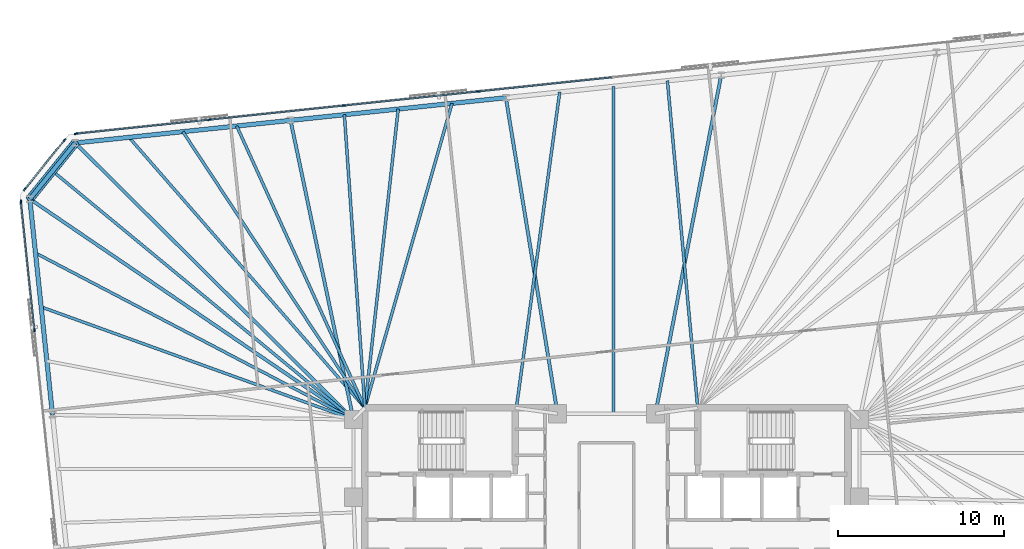
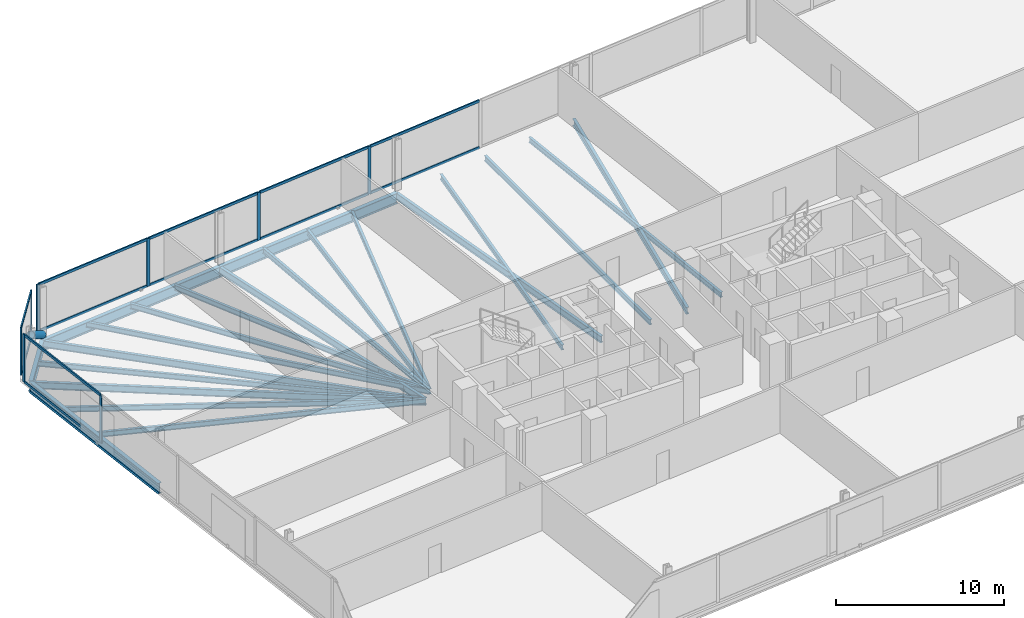
# One storey, part 9 of 18: 21 beams, 21 members, 3 elements without a shape of their own.
"""IFC4 building model written with IfcOpenShell, lengths in metres."""

from ifc_helpers import new_model, si_unit, direction, frame, origin, origin_2d, place, context, subcontext, project, spatial, rectangle, hollow_circle, i_section, extrude, material, material_profile, profile_set, type_object, element, aggregate, save


model = new_model("IFC4")

# Units and contexts
model_context = context("Model", 3, precision=1e-05, world=origin(), true_north=direction((0.0, 1.0)))
body_context = subcontext(model_context, "Body", "Model", "MODEL_VIEW")
ifc_project = project(units=[si_unit("LENGTHUNIT", "METRE"), si_unit("AREAUNIT", "SQUARE_METRE"), si_unit("VOLUMEUNIT", "CUBIC_METRE"), si_unit("PLANEANGLEUNIT", "RADIAN"), si_unit("MASSUNIT", "GRAM", prefix="KILO")], contexts=[model_context])

# Site, building, storey
site_placement = place(None, origin())
site = spatial("IfcSite", under=ifc_project, at=site_placement, CompositionType="ELEMENT")
building_placement = place(site_placement, origin())
building = spatial("IfcBuilding", under=site, at=building_placement, Name="Menara Jurai Vektor", CompositionType="ELEMENT")
storey_placement = place(building_placement, frame((0.0, 0.0, 117.0)))
storey = spatial("IfcBuildingStorey", under=building, at=storey_placement, Name="L29", CompositionType="ELEMENT", Elevation=117.0)

# Curtain wall, members
ifc_material_1 = material(Name="Anodised Pale Aluminium & Low-E Double Glazing", Category="aluminium")
curtain_wall_type = type_object("IfcCurtainWallType", Name="CW-BLK2", PredefinedType="NOTDEFINED", material=ifc_material_1)
curtain_wall_1_placement = place(storey_placement, origin())
curtain_wall_1 = element("IfcCurtainWall", 1, at=curtain_wall_1_placement, inside=storey, type_object=curtain_wall_type, Name="Unitised Curtain Wall L29 F05", PredefinedType="NOTDEFINED")
ifc_material_2 = material(Name="Anodised Pale Aluminium Mullion", Category="aluminium")
ifc_material_profile_1 = material_profile(ifc_material_2, rectangle(XDim=0.090087890625, YDim=0.219970703125, at=origin_2d()), Name="ALU MUL 90x220")
ifc_profile_set_1 = profile_set([ifc_material_profile_1], Name="Anodised Pale Aluminium Mullion")
member_type_1 = type_object("IfcMemberType", Name="CW-BLK2-MUL", PredefinedType="MULLION", material=ifc_profile_set_1)
member_1_placement = place(storey_placement, frame((-7.728271484375, 24.67138671875, 0.0), z_axis=(0.0, 0.0, 1.0), x_axis=(0.104528634935, -0.994521877325, 0.0)))
member_1 = element("IfcMember", 2, at=member_1_placement, type_object=member_type_1, Name="CW-02 mullion 6", PredefinedType="MULLION", context=body_context, shape_type="SweptSolid", body=[
    extrude(rectangle(XDim=0.090087890625, YDim=0.219970703125, at=origin_2d()), origin(), (0.0, 0.0, 1.0), 3.47509765625),
])
member_2_placement = place(storey_placement, frame((-15.826171875, 23.8203125, 0.0), z_axis=(0.0, 0.0, 1.0), x_axis=(0.104528634935, -0.994521877325, 0.0)))
member_2 = element("IfcMember", 3, at=member_2_placement, type_object=member_type_1, Name="CW-02 mullion 7", PredefinedType="MULLION", context=body_context, shape_type="SweptSolid", body=[
    extrude(rectangle(XDim=0.090087890625, YDim=0.219970703125, at=origin_2d()), origin(), (0.0, 0.0, 1.0), 3.47509765625),
])
member_3_placement = place(storey_placement, frame((-23.924072265625, 22.96923828125, 0.0), z_axis=(0.0, 0.0, 1.0), x_axis=(0.104528634935, -0.994521877325, 0.0)))
member_3 = element("IfcMember", 4, at=member_3_placement, type_object=member_type_1, Name="CW-02 mullion 8", PredefinedType="MULLION", context=body_context, shape_type="SweptSolid", body=[
    extrude(rectangle(XDim=0.090087890625, YDim=0.219970703125, at=origin_2d()), origin(), (0.0, 0.0, 1.0), 3.47509765625),
])
member_4_placement = place(storey_placement, frame((-31.97705078125, 22.122802734375, 0.0), z_axis=(0.0, 0.0, 1.0), x_axis=(0.104528634935, -0.994521877325, 0.0)))
member_4 = element("IfcMember", 5, at=member_4_placement, type_object=member_type_1, Name="CW-02 mullion 9", PredefinedType="MULLION", context=body_context, shape_type="SweptSolid", body=[
    extrude(rectangle(XDim=0.090087890625, YDim=0.219970703125, at=origin_2d()), origin(), (0.0, 0.0, 1.0), 3.47509765625),
])

curtain_wall_2_placement = place(storey_placement, origin())
curtain_wall_2 = element("IfcCurtainWall", 6, at=curtain_wall_2_placement, inside=storey, type_object=curtain_wall_type, Name="Unitised Curtain Wall L29 F06", PredefinedType="NOTDEFINED")
member_5_placement = place(storey_placement, frame((-32.667236328125, 21.748046875, 0.0), z_axis=(0.0, 0.0, 1.0), x_axis=(0.777129222223, -0.62934106172, 0.0)))
member_5 = element("IfcMember", 7, at=member_5_placement, type_object=member_type_1, Name="CW-02 mullion 1", PredefinedType="MULLION", context=body_context, shape_type="SweptSolid", body=[
    extrude(rectangle(XDim=0.090087890625, YDim=0.219970703125, at=origin_2d()), origin(), (0.0, 0.0, 1.0), 3.47509765625),
])
member_6_placement = place(storey_placement, frame((-35.0693359375, 18.781982421875, 0.0), z_axis=(0.0, 0.0, 1.0), x_axis=(0.777129222223, -0.62934106172, 0.0)))
member_6 = element("IfcMember", 8, at=member_6_placement, type_object=member_type_1, Name="CW-02 mullion 2", PredefinedType="MULLION", context=body_context, shape_type="SweptSolid", body=[
    extrude(rectangle(XDim=0.090087890625, YDim=0.219970703125, at=origin_2d()), origin(), (0.0, 0.0, 1.0), 3.47509765625),
])

curtain_wall_3_placement = place(storey_placement, origin())
curtain_wall_3 = element("IfcCurtainWall", 9, at=curtain_wall_3_placement, inside=storey, type_object=curtain_wall_type, Name="Unitised Curtain Wall L29 F07", PredefinedType="NOTDEFINED")
member_7_placement = place(storey_placement, frame((-35.29248046875, 18.029052734375, 0.0), z_axis=(0.0, 0.0, 1.0), x_axis=(0.99452177832, 0.104529576902, 0.0)))
member_7 = element("IfcMember", 10, at=member_7_placement, type_object=member_type_1, Name="CW-02 mullion 1", PredefinedType="MULLION", context=body_context, shape_type="SweptSolid", body=[
    extrude(rectangle(XDim=0.090087890625, YDim=0.219970703125, at=origin_2d()), origin(), (0.0, 0.0, 1.0), 3.47509765625),
])
member_8_placement = place(storey_placement, frame((-34.478759765625, 10.28857421875, 0.0), z_axis=(0.0, 0.0, 1.0), x_axis=(0.99452177832, 0.104529576902, 0.0)))
member_8 = element("IfcMember", 11, at=member_8_placement, type_object=member_type_1, Name="CW-02 mullion 2", PredefinedType="MULLION", context=body_context, shape_type="SweptSolid", body=[
    extrude(rectangle(XDim=0.090087890625, YDim=0.219970703125, at=origin_2d()), origin(), (0.0, 0.0, 1.0), 3.47509765625),
])

# Member
ifc_material_3 = material(Name="Anodised Pale Aluminium Transom", Category="aluminium")
ifc_material_profile_2 = material_profile(ifc_material_3, rectangle(XDim=0.090087890625, YDim=0.18505859375, at=origin_2d()), Name="ALU TRN 90x185")
ifc_profile_set_2 = profile_set([ifc_material_profile_2], Name="Anodised Pale Aluminium Transom")
member_type_2 = type_object("IfcMemberType", Name="CW-BLK2-TRN", PredefinedType="USERDEFINED", material=ifc_profile_set_2)
member_9_placement = place(storey_placement, frame((0.324951171875, 25.517822265625, 0.044921875), z_axis=(-0.99452387809, -0.104509597213, 0.0), x_axis=(0.104509597213, -0.99452387809, 0.0)))
member_9 = element("IfcMember", 12, at=member_9_placement, type_object=member_type_2, Name="CW-02 transom 5.1", ObjectType="TRANSOM", PredefinedType="USERDEFINED", context=body_context, shape_type="SweptSolid", body=[
    extrude(rectangle(XDim=0.090087890625, YDim=0.18505859375, at=origin_2d()), origin(), (0.0, 0.0, 1.0), 8.052490234375),
])

member_10_placement = place(storey_placement, frame((0.324951171875, 25.517822265625, 3.429931640625), z_axis=(-0.99452387809, -0.104509597213, 0.0), x_axis=(0.104509597213, -0.99452387809, 0.0)))
member_10 = element("IfcMember", 13, at=member_10_placement, type_object=member_type_2, Name="CW-02 transom 5.2", ObjectType="TRANSOM", PredefinedType="USERDEFINED", context=body_context, shape_type="SweptSolid", body=[
    extrude(rectangle(XDim=0.090087890625, YDim=0.18505859375, at=origin_2d()), origin(), (0.0, 0.0, 1.0), 8.052490234375),
])

member_11_placement = place(storey_placement, frame((-7.77294921875, 24.666748046875, 0.044921875), z_axis=(-0.994520726373, -0.10453958492, 0.0), x_axis=(0.10453958492, -0.994520726373, 0.0)))
member_11 = element("IfcMember", 14, at=member_11_placement, type_object=member_type_2, Name="CW-02 transom 6.1", ObjectType="TRANSOM", PredefinedType="USERDEFINED", context=body_context, shape_type="SweptSolid", body=[
    extrude(rectangle(XDim=0.090087890625, YDim=0.18505859375, at=origin_2d()), origin(), (0.0, 0.0, 1.0), 8.052490234375),
])

member_12_placement = place(storey_placement, frame((-7.77294921875, 24.666748046875, 3.429931640625), z_axis=(-0.994520726373, -0.10453958492, 0.0), x_axis=(0.10453958492, -0.994520726373, 0.0)))
member_12 = element("IfcMember", 15, at=member_12_placement, type_object=member_type_2, Name="CW-02 transom 6.2", ObjectType="TRANSOM", PredefinedType="USERDEFINED", context=body_context, shape_type="SweptSolid", body=[
    extrude(rectangle(XDim=0.090087890625, YDim=0.18505859375, at=origin_2d()), origin(), (0.0, 0.0, 1.0), 8.052490234375),
])

member_13_placement = place(storey_placement, frame((-15.870849609375, 23.815673828125, 0.044921875), z_axis=(-0.994520726373, -0.10453958492, 0.0), x_axis=(0.10453958492, -0.994520726373, 0.0)))
member_13 = element("IfcMember", 16, at=member_13_placement, type_object=member_type_2, Name="CW-02 transom 7.1", ObjectType="TRANSOM", PredefinedType="USERDEFINED", context=body_context, shape_type="SweptSolid", body=[
    extrude(rectangle(XDim=0.090087890625, YDim=0.18505859375, at=origin_2d()), origin(), (0.0, 0.0, 1.0), 8.052490234375),
])

member_14_placement = place(storey_placement, frame((-15.870849609375, 23.815673828125, 3.429931640625), z_axis=(-0.994520726373, -0.10453958492, 0.0), x_axis=(0.10453958492, -0.994520726373, 0.0)))
member_14 = element("IfcMember", 17, at=member_14_placement, type_object=member_type_2, Name="CW-02 transom 7.2", ObjectType="TRANSOM", PredefinedType="USERDEFINED", context=body_context, shape_type="SweptSolid", body=[
    extrude(rectangle(XDim=0.090087890625, YDim=0.18505859375, at=origin_2d()), origin(), (0.0, 0.0, 1.0), 8.052490234375),
])

member_15_placement = place(storey_placement, frame((-23.96875, 22.964599609375, 0.044921875), z_axis=(-0.994519977808, -0.104546706027, 0.0), x_axis=(0.104546706027, -0.994519977808, 0.0)))
member_15 = element("IfcMember", 18, at=member_15_placement, type_object=member_type_2, Name="CW-02 transom 8.1", ObjectType="TRANSOM", PredefinedType="USERDEFINED", context=body_context, shape_type="SweptSolid", body=[
    extrude(rectangle(XDim=0.090087890625, YDim=0.18505859375, at=origin_2d()), origin(), (0.0, 0.0, 1.0), 8.007568359375),
])

member_16_placement = place(storey_placement, frame((-23.96875, 22.964599609375, 3.429931640625), z_axis=(-0.994519977808, -0.104546706027, 0.0), x_axis=(0.104546706027, -0.994519977808, 0.0)))
member_16 = element("IfcMember", 19, at=member_16_placement, type_object=member_type_2, Name="CW-02 transom 8.2", ObjectType="TRANSOM", PredefinedType="USERDEFINED", context=body_context, shape_type="SweptSolid", body=[
    extrude(rectangle(XDim=0.090087890625, YDim=0.18505859375, at=origin_2d()), origin(), (0.0, 0.0, 1.0), 8.007568359375),
])

aggregate(curtain_wall_1, [member_1, member_2, member_3, member_4, member_9, member_10, member_11, member_12, member_13, member_14, member_15, member_16])

member_17_placement = place(storey_placement, frame((-32.695556640625, 21.713134765625, 0.044921875), z_axis=(-0.6293414396, -0.777128916205, 0.0), x_axis=(0.777128916205, -0.6293414396, 0.0)))
member_17 = element("IfcMember", 20, at=member_17_placement, type_object=member_type_2, Name="CW-02 transom 1.1", ObjectType="TRANSOM", PredefinedType="USERDEFINED", context=body_context, shape_type="SweptSolid", body=[
    extrude(rectangle(XDim=0.090087890625, YDim=0.18505859375, at=origin_2d()), origin(), (0.0, 0.0, 1.0), 3.726806640625),
])

member_18_placement = place(storey_placement, frame((-32.695556640625, 21.713134765625, 3.429931640625), z_axis=(-0.6293414396, -0.777128916205, 0.0), x_axis=(0.777128916205, -0.6293414396, 0.0)))
member_18 = element("IfcMember", 21, at=member_18_placement, type_object=member_type_2, Name="CW-02 transom 1.2", ObjectType="TRANSOM", PredefinedType="USERDEFINED", context=body_context, shape_type="SweptSolid", body=[
    extrude(rectangle(XDim=0.090087890625, YDim=0.18505859375, at=origin_2d()), origin(), (0.0, 0.0, 1.0), 3.726806640625),
])

aggregate(curtain_wall_2, [member_5, member_6, member_17, member_18])

member_19_placement = place(storey_placement, frame((-35.28759765625, 17.984130859375, 0.044921875), z_axis=(0.104504716935, -0.994524390922, 0.0), x_axis=(0.994524390922, 0.104504716935, 0.0)))
member_19 = element("IfcMember", 22, at=member_19_placement, type_object=member_type_2, Name="CW-02 transom 1.1", ObjectType="TRANSOM", PredefinedType="USERDEFINED", context=body_context, shape_type="SweptSolid", body=[
    extrude(rectangle(XDim=0.090087890625, YDim=0.18505859375, at=origin_2d()), origin(), (0.0, 0.0, 1.0), 7.693115234375),
])

member_20_placement = place(storey_placement, frame((-35.28759765625, 17.984130859375, 3.429931640625), z_axis=(0.104504716935, -0.994524390922, 0.0), x_axis=(0.994524390922, 0.104504716935, 0.0)))
member_20 = element("IfcMember", 23, at=member_20_placement, type_object=member_type_2, Name="CW-02 transom 1.2", ObjectType="TRANSOM", PredefinedType="USERDEFINED", context=body_context, shape_type="SweptSolid", body=[
    extrude(rectangle(XDim=0.090087890625, YDim=0.18505859375, at=origin_2d()), origin(), (0.0, 0.0, 1.0), 7.693115234375),
])

aggregate(curtain_wall_3, [member_7, member_8, member_19, member_20])

# Beams
ifc_material_4 = material(Name="Steel S355", Category="steel")
ifc_material_profile_3 = material_profile(ifc_material_4, i_section(OverallWidth=0.199951171875, OverallDepth=0.5, WebThickness=0.011962890625, FlangeThickness=0.02001953125, at=origin_2d()), Name="PG 500x200x96")
ifc_profile_set_3 = profile_set([ifc_material_profile_3], Name="Steel S355")
beam_type_1 = type_object("IfcBeamType", Name="STR-BM-500", PredefinedType="BEAM", material=ifc_profile_set_3)
beam_1_placement = place(storey_placement, frame((6.9169921875, 25.65771484375, -0.47509765625), z_axis=(-0.190817481746, -0.981625533826, 0.0), x_axis=(0.981625533826, -0.190817481746, 0.0)))
element("IfcBeam", 24, at=beam_1_placement, inside=storey, type_object=beam_type_1, Name="Radial Floor Girder L29-N3", PredefinedType="BEAM", context=body_context, shape_type="SweptSolid", body=[
    extrude(i_section(OverallWidth=0.199951171875, OverallDepth=0.5, WebThickness=0.011962890625, FlangeThickness=0.02001953125, at=origin_2d()), origin(), (0.0, 0.0, 1.0), 20.789794921875),
])
beam_2_placement = place(storey_placement, frame((-6.0625, 24.29345703125, -0.47509765625), z_axis=(0.161304178177, -0.986904738109, 0.0), x_axis=(0.986904738109, 0.161304178177, 0.0)))
element("IfcBeam", 25, at=beam_2_placement, inside=storey, type_object=beam_type_1, Name="Radial Floor Girder L29-N4", PredefinedType="BEAM", context=body_context, shape_type="SweptSolid", body=[
    extrude(i_section(OverallWidth=0.199951171875, OverallDepth=0.5, WebThickness=0.011962890625, FlangeThickness=0.02001953125, at=origin_2d()), origin(), (0.0, 0.0, 1.0), 19.296142578125),
])
beam_3_placement = place(storey_placement, frame((-19.042236328125, 22.92919921875, -0.47509765625), z_axis=(0.205833499861, -0.978587027471, 0.0), x_axis=(0.978587027471, 0.205833499861, 0.0)))
element("IfcBeam", 26, at=beam_3_placement, inside=storey, type_object=beam_type_1, Name="Radial Floor Girder L29-N5", PredefinedType="BEAM", context=body_context, shape_type="SweptSolid", body=[
    extrude(i_section(OverallWidth=0.199951171875, OverallDepth=0.5, WebThickness=0.011962890625, FlangeThickness=0.02001953125, at=origin_2d()), origin(), (0.0, 0.0, 1.0), 18.423828125),
])
beam_4_placement = place(storey_placement, frame((-32.02197265625, 21.565185546875, -0.47509765625), z_axis=(0.709359361276, -0.704847002242, 0.0), x_axis=(0.704847002242, 0.709359361276, 0.0)))
element("IfcBeam", 27, at=beam_4_placement, inside=storey, type_object=beam_type_1, Name="Radial Floor Girder L29-N6", PredefinedType="BEAM", context=body_context, shape_type="SweptSolid", body=[
    extrude(i_section(OverallWidth=0.199951171875, OverallDepth=0.5, WebThickness=0.011962890625, FlangeThickness=0.02001953125, at=origin_2d()), origin(), (0.0, 0.0, 1.0), 23.643798828125),
])
beam_5_placement = place(storey_placement, frame((-34.756103515625, 18.188720703125, -0.47509765625), z_axis=(0.826440214756, -0.563024485643, 0.0), x_axis=(0.563024485643, 0.826440214756, 0.0)))
element("IfcBeam", 28, at=beam_5_placement, inside=storey, type_object=beam_type_1, Name="Radial Floor Girder L29-W1", PredefinedType="BEAM", context=body_context, shape_type="SweptSolid", body=[
    extrude(i_section(OverallWidth=0.199951171875, OverallDepth=0.5, WebThickness=0.011962890625, FlangeThickness=0.02001953125, at=origin_2d()), origin(), (0.0, 0.0, 1.0), 23.6025390625),
])

# Member
ifc_material_5 = material(Name="Steel S460", Category="steel")
ifc_material_profile_4 = material_profile(ifc_material_5, hollow_circle(Radius=0.25390625, WallThickness=0.02001953125, at=origin_2d()), Name="CHS 508x20")
ifc_profile_set_4 = profile_set([ifc_material_profile_4], Name="Steel S460")
member_type_3 = type_object("IfcMemberType", Name="STR-BR-508", PredefinedType="BRACE", material=ifc_profile_set_4)
member_21_placement = place(storey_placement, frame((-32.02197265625, 21.565185546875, 0.14990234375), z_axis=(-0.519237856236, -0.641223283484, 0.564999778203), x_axis=(0.777154568396, -0.629309762217, 0.0)))
element("IfcMember", 29, at=member_21_placement, inside=storey, type_object=member_type_3, Name="Exoskeleton Corner Brace L29-3", PredefinedType="BRACE", context=body_context, shape_type="SweptSolid", body=[
    extrude(hollow_circle(Radius=0.25390625, WallThickness=0.02001953125, at=origin_2d()), origin(), (0.0, 0.0, 1.0), 5.265625),
])

# Beams
ifc_material_profile_5 = material_profile(ifc_material_4, i_section(OverallWidth=0.175048828125, OverallDepth=0.3798828125, WebThickness=0.010009765625, FlangeThickness=0.014892578125, at=origin_2d()), Name="PG 380x175x58")
ifc_profile_set_5 = profile_set([ifc_material_profile_5], Name="Steel S355")
beam_type_2 = type_object("IfcBeamType", Name="STR-JS-380", PredefinedType="JOIST", material=ifc_profile_set_5)
beam_6_placement = place(storey_placement, frame((3.672119140625, 25.316650390625, -0.4150390625), z_axis=(0.092312082085, -0.995730123829, 0.0), x_axis=(0.995730123829, 0.092312082085, 0.0)))
element("IfcBeam", 30, at=beam_6_placement, inside=storey, type_object=beam_type_2, Name="Radial Secondary Floor Joist L29-JS26", PredefinedType="JOIST", context=body_context, shape_type="SweptSolid", body=[
    extrude(i_section(OverallWidth=0.175048828125, OverallDepth=0.3798828125, WebThickness=0.010009765625, FlangeThickness=0.014892578125, at=origin_2d()), origin(), (0.0, 0.0, 1.0), 19.801025390625),
])
beam_7_placement = place(storey_placement, frame((0.42724609375, 24.9755859375, -0.4150390625), z_axis=(0.0, -1.0, 0.0), x_axis=(1.0, 0.0, 0.0)))
element("IfcBeam", 31, at=beam_7_placement, inside=storey, type_object=beam_type_2, Name="Radial Secondary Floor Joist L29-JS27", PredefinedType="JOIST", context=body_context, shape_type="SweptSolid", body=[
    extrude(i_section(OverallWidth=0.175048828125, OverallDepth=0.3798828125, WebThickness=0.010009765625, FlangeThickness=0.014892578125, at=origin_2d()), origin(), (0.0, 0.0, 1.0), 19.7255859375),
])
beam_8_placement = place(storey_placement, frame((-2.817626953125, 24.634521484375, -0.4150390625), z_axis=(-0.135987109192, -0.990710606652, 0.0), x_axis=(0.990710606652, -0.135987109192, 0.0)))
element("IfcBeam", 32, at=beam_8_placement, inside=storey, type_object=beam_type_2, Name="Radial Secondary Floor Joist L29-JS28", PredefinedType="JOIST", context=body_context, shape_type="SweptSolid", body=[
    extrude(i_section(OverallWidth=0.175048828125, OverallDepth=0.3798828125, WebThickness=0.010009765625, FlangeThickness=0.014892578125, at=origin_2d()), origin(), (0.0, 0.0, 1.0), 19.222412109375),
])
beam_9_placement = place(storey_placement, frame((-9.3076171875, 23.952392578125, -0.4150390625), z_axis=(-0.275153530359, -0.961400298903, 0.0), x_axis=(0.961400298903, -0.275153530359, 0.0)))
element("IfcBeam", 33, at=beam_9_placement, inside=storey, type_object=beam_type_2, Name="Radial Secondary Floor Joist L29-JS29", PredefinedType="JOIST", context=body_context, shape_type="SweptSolid", body=[
    extrude(i_section(OverallWidth=0.175048828125, OverallDepth=0.3798828125, WebThickness=0.010009765625, FlangeThickness=0.014892578125, at=origin_2d()), origin(), (0.0, 0.0, 1.0), 19.089111328125),
])
beam_10_placement = place(storey_placement, frame((-12.552490234375, 23.611328125, -0.4150390625), z_axis=(-0.110776028048, -0.993845396231, 0.0), x_axis=(0.993845396231, -0.110776028048, 0.0)))
element("IfcBeam", 34, at=beam_10_placement, inside=storey, type_object=beam_type_2, Name="Radial Secondary Floor Joist L29-JS30", PredefinedType="JOIST", context=body_context, shape_type="SweptSolid", body=[
    extrude(i_section(OverallWidth=0.175048828125, OverallDepth=0.3798828125, WebThickness=0.010009765625, FlangeThickness=0.014892578125, at=origin_2d()), origin(), (0.0, 0.0, 1.0), 18.122802734375),
])
beam_11_placement = place(storey_placement, frame((-15.79736328125, 23.2705078125, -0.4150390625), z_axis=(0.069850249402, -0.997557488398, 0.0), x_axis=(0.997557488398, 0.069850249402, 0.0)))
element("IfcBeam", 35, at=beam_11_placement, inside=storey, type_object=beam_type_2, Name="Radial Secondary Floor Joist L29-JS31", PredefinedType="JOIST", context=body_context, shape_type="SweptSolid", body=[
    extrude(i_section(OverallWidth=0.175048828125, OverallDepth=0.3798828125, WebThickness=0.010009765625, FlangeThickness=0.014892578125, at=origin_2d()), origin(), (0.0, 0.0, 1.0), 17.713623046875),
])
beam_12_placement = place(storey_placement, frame((-22.287109375, 22.58837890625, -0.4150390625), z_axis=(0.414029617818, -0.910263409992, 0.0), x_axis=(0.910263409992, 0.414029617818, 0.0)))
element("IfcBeam", 36, at=beam_12_placement, inside=storey, type_object=beam_type_2, Name="Radial Secondary Floor Joist L29-JS32", PredefinedType="JOIST", context=body_context, shape_type="SweptSolid", body=[
    extrude(i_section(OverallWidth=0.175048828125, OverallDepth=0.3798828125, WebThickness=0.010009765625, FlangeThickness=0.014892578125, at=origin_2d()), origin(), (0.0, 0.0, 1.0), 18.6630859375),
])
beam_13_placement = place(storey_placement, frame((-25.531982421875, 22.247314453125, -0.4150390625), z_axis=(0.550309675793, -0.834960634239, 0.0), x_axis=(0.834960634239, 0.550309675793, 0.0)))
element("IfcBeam", 37, at=beam_13_placement, inside=storey, type_object=beam_type_2, Name="Radial Secondary Floor Joist L29-JS33", PredefinedType="JOIST", context=body_context, shape_type="SweptSolid", body=[
    extrude(i_section(OverallWidth=0.175048828125, OverallDepth=0.3798828125, WebThickness=0.010009765625, FlangeThickness=0.014892578125, at=origin_2d()), origin(), (0.0, 0.0, 1.0), 19.937744140625),
])
beam_14_placement = place(storey_placement, frame((-28.777099609375, 21.90625, -0.4150390625), z_axis=(0.657172520545, -0.753740192798, 0.0), x_axis=(0.753740192798, 0.657172520545, 0.0)))
element("IfcBeam", 38, at=beam_14_placement, inside=storey, type_object=beam_type_2, Name="Radial Secondary Floor Joist L29-JS34", PredefinedType="JOIST", context=body_context, shape_type="SweptSolid", body=[
    extrude(i_section(OverallWidth=0.175048828125, OverallDepth=0.3798828125, WebThickness=0.010009765625, FlangeThickness=0.014892578125, at=origin_2d()), origin(), (0.0, 0.0, 1.0), 21.633544921875),
])
beam_15_placement = place(storey_placement, frame((-33.388916015625, 19.876953125, -0.4150390625), z_axis=(0.771113505069, -0.636697700876, 0.0), x_axis=(0.636697700876, 0.771113505069, 0.0)))
element("IfcBeam", 39, at=beam_15_placement, inside=storey, type_object=beam_type_2, Name="Radial Secondary Floor Joist L29-JS35", PredefinedType="JOIST", context=body_context, shape_type="SweptSolid", body=[
    extrude(i_section(OverallWidth=0.175048828125, OverallDepth=0.3798828125, WebThickness=0.010009765625, FlangeThickness=0.014892578125, at=origin_2d()), origin(), (0.0, 0.0, 1.0), 23.52294921875),
])
beam_16_placement = place(storey_placement, frame((-34.414306640625, 14.935302734375, -0.4150390625), z_axis=(0.885889402471, -0.463896504179, 0.0), x_axis=(0.463896504179, 0.885889402471, 0.0)))
element("IfcBeam", 40, at=beam_16_placement, inside=storey, type_object=beam_type_2, Name="Radial Secondary Floor Joist L29-JS36", PredefinedType="JOIST", context=body_context, shape_type="SweptSolid", body=[
    extrude(i_section(OverallWidth=0.175048828125, OverallDepth=0.3798828125, WebThickness=0.010009765625, FlangeThickness=0.014892578125, at=origin_2d()), origin(), (0.0, 0.0, 1.0), 21.6328125),
])
beam_17_placement = place(storey_placement, frame((-34.072265625, 11.681884765625, -0.4150390625), z_axis=(0.940792327273, -0.338983475917, 0.0), x_axis=(0.338983475917, 0.940792327273, 0.0)))
element("IfcBeam", 41, at=beam_17_placement, inside=storey, type_object=beam_type_2, Name="Radial Secondary Floor Joist L29-JS37", PredefinedType="JOIST", context=body_context, shape_type="SweptSolid", body=[
    extrude(i_section(OverallWidth=0.175048828125, OverallDepth=0.3798828125, WebThickness=0.010009765625, FlangeThickness=0.014892578125, at=origin_2d()), origin(), (0.0, 0.0, 1.0), 20.0068359375),
])
ifc_material_profile_6 = material_profile(ifc_material_5, i_section(OverallWidth=0.26806640625, OverallDepth=0.77001953125, WebThickness=0.01611328125, FlangeThickness=0.02490234375, FilletRadius=0.01708984375, at=origin_2d()), Name="UKB 762x267x197")
ifc_profile_set_6 = profile_set([ifc_material_profile_6], Name="Steel S460")
beam_type_3 = type_object("IfcBeamType", Name="STR-SP-762", PredefinedType="SPANDREL", material=ifc_profile_set_6)
for number, where, z_axis, x_axis, name in (
    (42, (-6.0625, 24.29345703125, -0.610107421875), (-0.994521636083, -0.104530930169, 0.0), (0.104530930169, -0.994521636083, 0.0), "Exoskeleton Spandrel Beam L29-14"),
    (43, (-19.042236328125, 22.92919921875, -0.610107421875), (-0.994523580592, -0.104512428191, 0.0), (0.104512428191, -0.994523580592, 0.0), "Exoskeleton Spandrel Beam L29-15"),
):
    element("IfcBeam", number, at=place(storey_placement, frame(where, z_axis=z_axis, x_axis=x_axis)), inside=storey, type_object=beam_type_3, Name=name, PredefinedType="SPANDREL", context=body_context, shape_type="SweptSolid", body=[
        extrude(i_section(OverallWidth=0.26806640625, OverallDepth=0.77001953125, WebThickness=0.01611328125, FlangeThickness=0.02490234375, FilletRadius=0.01708984375, at=origin_2d()), origin(), (0.0, 0.0, 1.0), 13.05126953125),
    ])
beam_18_placement = place(storey_placement, frame((-32.02197265625, 21.565185546875, -0.610107421875), z_axis=(-0.629309762217, -0.777154568396, 0.0), x_axis=(0.777154568396, -0.629309762217, 0.0)))
element("IfcBeam", 44, at=beam_18_placement, inside=storey, type_object=beam_type_3, Name="Exoskeleton Spandrel Beam L29-16", PredefinedType="SPANDREL", context=body_context, shape_type="SweptSolid", body=[
    extrude(i_section(OverallWidth=0.26806640625, OverallDepth=0.77001953125, WebThickness=0.01611328125, FlangeThickness=0.02490234375, FilletRadius=0.01708984375, at=origin_2d()), origin(), (0.0, 0.0, 1.0), 4.3447265625),
])
beam_19_placement = place(storey_placement, frame((-34.756103515625, 18.188720703125, -0.610107421875), z_axis=(0.104538130097, -0.994520879296, 0.0), x_axis=(0.994520879296, 0.104538130097, 0.0)))
element("IfcBeam", 45, at=beam_19_placement, inside=storey, type_object=beam_type_3, Name="Exoskeleton Spandrel Beam L29-17", PredefinedType="SPANDREL", context=body_context, shape_type="SweptSolid", body=[
    extrude(i_section(OverallWidth=0.26806640625, OverallDepth=0.77001953125, WebThickness=0.01611328125, FlangeThickness=0.02490234375, FilletRadius=0.01708984375, at=origin_2d()), origin(), (0.0, 0.0, 1.0), 13.08544921875),
])

save(model, "model.ifc")
